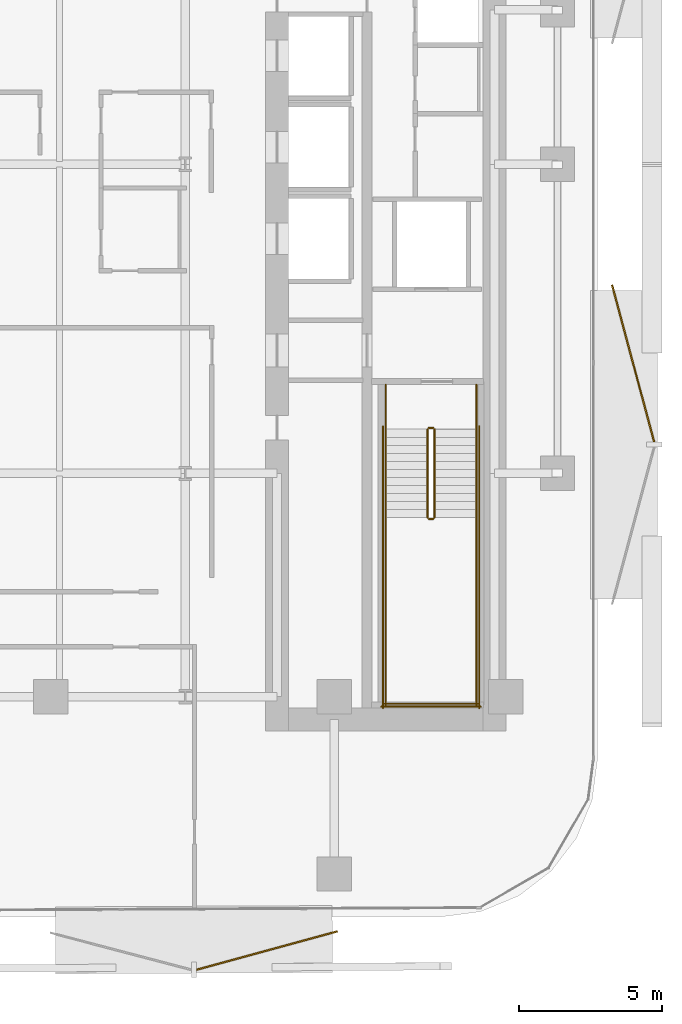
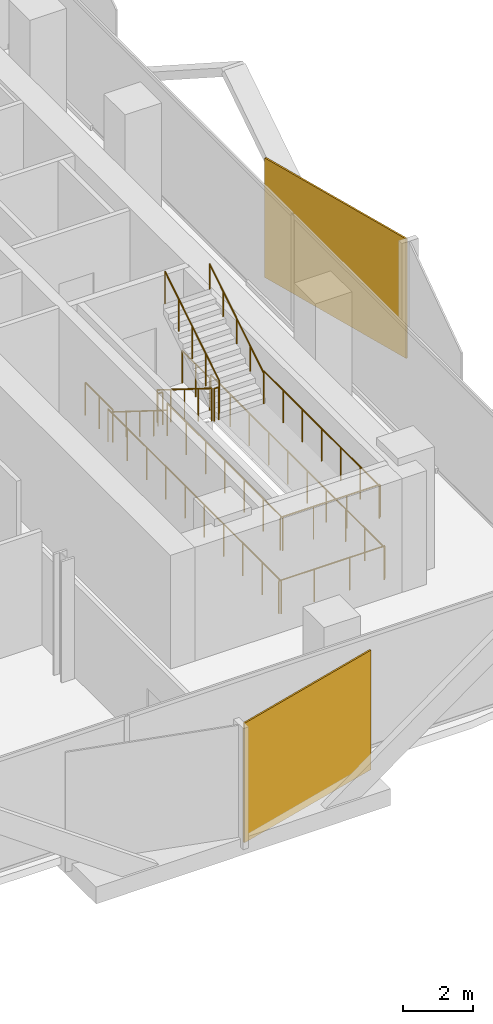
# One storey, part 13 of 15: 14 railings, 2 coverings.
"""IFC4 building model written with IfcOpenShell, lengths in metres."""

from ifc_helpers import new_model, si_unit, direction, frame, origin, origin_2d, place, context, subcontext, project, spatial, rectangle, circle, extrude, material, layer, layer_set, type_object, element, save


model = new_model("IFC4")

# Units and contexts
model_context = context("Model", 3, precision=1e-05, world=origin(), true_north=direction((0.0, 1.0)))
body_context = subcontext(model_context, "Body", "Model", "MODEL_VIEW")
ifc_project = project(units=[si_unit("LENGTHUNIT", "METRE"), si_unit("AREAUNIT", "SQUARE_METRE"), si_unit("VOLUMEUNIT", "CUBIC_METRE"), si_unit("PLANEANGLEUNIT", "RADIAN"), si_unit("MASSUNIT", "GRAM", prefix="KILO")], contexts=[model_context])

# Site, building, storey
site_placement = place(None, origin())
site = spatial("IfcSite", under=ifc_project, at=site_placement, CompositionType="ELEMENT")
building_placement = place(site_placement, origin())
building = spatial("IfcBuilding", under=site, at=building_placement, Name="Khairoan Windgate Tower", CompositionType="ELEMENT")
storey_placement = place(building_placement, frame((0.0, 0.0, 126.800048828125)))
storey = spatial("IfcBuildingStorey", under=building, at=storey_placement, Name="L29", CompositionType="ELEMENT", Elevation=126.800048828125)

# Coverings
ifc_material_1 = material(Name="Anodised Bronze Aluminium 6063-T6", Category="aluminium")
ifc_layer = layer(ifc_material_1, 0.054931640625, Name="Anodised Bronze Aluminium 6063-T6")
ifc_layer_set = layer_set([ifc_layer], Name="Anodised Bronze Aluminium 6063-T6")
covering_type = type_object("IfcCoveringType", Name="Perforated Bronze-Ceramic Folded Solar Screen Cladding BSC-1", PredefinedType="CLADDING", material=ifc_layer_set)
covering_1_placement = place(storey_placement, frame((12.05322265625, -27.472412109375, -0.10009765625), z_axis=(0.0, 0.0, 1.0), x_axis=(-0.964649468762, -0.263536339841, 0.0)))
element("IfcCovering", 1, at=covering_1_placement, inside=storey, type_object=covering_type, Name="L29 Folded Bronze Solar Screen Facet 177L", PredefinedType="CLADDING", context=body_context, shape_type="SweptSolid", body=[
    extrude(rectangle(XDim=5.10107421875, YDim=0.054931640625, at=origin_2d()), origin(), (0.0, 0.0, 1.0), 4.139892578125),
])
covering_2_placement = place(storey_placement, frame((24.8447265625, -6.961669921875, -0.10009765625), z_axis=(0.0, 0.0, 1.0), x_axis=(0.258819045103, -0.965925826289, 0.0)))
element("IfcCovering", 2, at=covering_2_placement, inside=storey, type_object=covering_type, Name="L29 Folded Bronze Solar Screen Facet 184L", PredefinedType="CLADDING", context=body_context, shape_type="SweptSolid", body=[
    extrude(rectangle(XDim=5.680908203125, YDim=0.054931640625, at=origin_2d()), origin(), (0.0, 0.0, 1.0), 4.139892578125),
])

# Railings
ifc_material_2 = material(Name="Anodised Bronze Aluminium 6063-T6", Category="aluminium")
railing_type_1 = type_object("IfcRailingType", Name="Stair Wall Handrail SHR-900", PredefinedType="HANDRAIL", material=ifc_material_2)
railing_1_placement = place(storey_placement, frame((16.199951171875, -9.260009765625, 0.175048828125)))
element("IfcRailing", 3, at=railing_1_placement, inside=storey, type_object=railing_type_1, Name="L29 ST1 stair handrail 1", PredefinedType="HANDRAIL", context=body_context, shape_type="SweptSolid", body=[
    extrude(circle(Radius=0.02392578125, at=origin_2d()), frame((0.0, 0.0, 0.8759765625), z_axis=(0.0, -0.848028513186, 0.529950602248), x_axis=(1.0, 0.0, 0.0)), (0.0, 0.0, 1.0), 3.632080078125),
    extrude(circle(Radius=0.02099609375, at=origin_2d()), origin(), (0.0, 0.0, 1.0), 0.851806640625),
    extrude(circle(Radius=0.02099609375, at=origin_2d()), frame((0.0, -0.77001953125, 0.481201171875)), (0.0, 0.0, 1.0), 0.851806640625),
    extrude(circle(Radius=0.02099609375, at=origin_2d()), frame((0.0, -1.5400390625, 0.96240234375)), (0.0, 0.0, 1.0), 0.851806640625),
    extrude(circle(Radius=0.02099609375, at=origin_2d()), frame((0.0, -2.31005859375, 1.443603515625)), (0.0, 0.0, 1.0), 0.851806640625),
    extrude(circle(Radius=0.02099609375, at=origin_2d()), frame((0.0, -3.080078125, 1.9248046875)), (0.0, 0.0, 1.0), 0.851806640625),
])
railing_2_placement = place(storey_placement, frame((19.3701171875, -12.340087890625, 2.27490234375)))
element("IfcRailing", 4, at=railing_2_placement, inside=storey, type_object=railing_type_1, Name="L29 ST1 stair handrail 2", PredefinedType="HANDRAIL", context=body_context, shape_type="SweptSolid", body=[
    extrude(circle(Radius=0.02392578125, at=origin_2d()), frame((0.0, 0.0, 0.8759765625), z_axis=(0.0, 0.847998304005, 0.529998940003), x_axis=(-1.0, 0.0, 0.0)), (0.0, 0.0, 1.0), 3.632080078125),
    extrude(circle(Radius=0.02099609375, at=origin_2d()), origin(), (0.0, 0.0, 1.0), 0.851806640625),
    extrude(circle(Radius=0.02099609375, at=origin_2d()), frame((0.0, 0.77001953125, 0.481201171875)), (0.0, 0.0, 1.0), 0.851806640625),
    extrude(circle(Radius=0.02099609375, at=origin_2d()), frame((0.0, 1.5400390625, 0.96240234375)), (0.0, 0.0, 1.0), 0.851806640625),
    extrude(circle(Radius=0.02099609375, at=origin_2d()), frame((0.0, 2.31005859375, 1.44384765625)), (0.0, 0.0, 1.0), 0.851806640625),
    extrude(circle(Radius=0.02099609375, at=origin_2d()), frame((0.0, 3.080078125, 1.925048828125)), (0.0, 0.0, 1.0), 0.851806640625),
])
ifc_material_3 = material(Name="Steel S355", Category="steel")
railing_type_2 = type_object("IfcRailingType", Name="Stairwell Safety Guardrail SGR-1150", PredefinedType="GUARDRAIL", material=ifc_material_3)
railing_3_placement = place(storey_placement, frame((17.659912109375, -9.260009765625, 0.175048828125)))
element("IfcRailing", 5, at=railing_3_placement, inside=storey, type_object=railing_type_2, Name="L29 ST1 stair guard 1", PredefinedType="GUARDRAIL", context=body_context, shape_type="SweptSolid", body=[
    extrude(circle(Radius=0.02392578125, at=origin_2d()), frame((0.0, 0.0, 1.1259765625), z_axis=(0.0, -0.848028513186, 0.529950602248), x_axis=(1.0, 0.0, 0.0)), (0.0, 0.0, 1.0), 3.632080078125),
    extrude(circle(Radius=0.02099609375, at=origin_2d()), origin(), (0.0, 0.0, 1.0), 1.101806640625),
    extrude(circle(Radius=0.02099609375, at=origin_2d()), frame((0.0, -0.77001953125, 0.481201171875)), (0.0, 0.0, 1.0), 1.101806640625),
    extrude(circle(Radius=0.02099609375, at=origin_2d()), frame((0.0, -1.5400390625, 0.96240234375)), (0.0, 0.0, 1.0), 1.101806640625),
    extrude(circle(Radius=0.02099609375, at=origin_2d()), frame((0.0, -2.31005859375, 1.443603515625)), (0.0, 0.0, 1.0), 1.101806640625),
    extrude(circle(Radius=0.02099609375, at=origin_2d()), frame((0.0, -3.080078125, 1.9248046875)), (0.0, 0.0, 1.0), 1.101806640625),
])
railing_4_placement = place(storey_placement, frame((17.7099609375, -12.389892578125, 2.099853515625)))
element("IfcRailing", 6, at=railing_4_placement, inside=storey, type_object=railing_type_2, Name="L29 ST1 stair guard 2", PredefinedType="GUARDRAIL", context=body_context, shape_type="SweptSolid", body=[
    extrude(circle(Radius=0.02392578125, at=origin_2d()), frame((0.0, 0.0, 1.1259765625), z_axis=(1.0, 0.0, 0.0), x_axis=(0.0, 1.0, 0.0)), (0.0, 0.0, 1.0), 0.150146484375),
    extrude(circle(Radius=0.02099609375, at=origin_2d()), origin(), (0.0, 0.0, 1.0), 1.101806640625),
    extrude(circle(Radius=0.02099609375, at=origin_2d()), frame((0.150146484375, 0.0, 0.0)), (0.0, 0.0, 1.0), 1.101806640625),
])
for number, where, name in (
    (7, (16.199951171875, -12.340087890625, 2.099853515625), "L29 ST1 stair guard 3"),
    (8, (19.3701171875, -12.340087890625, 2.099853515625), "L29 ST1 stair guard 4"),
):
    element("IfcRailing", number, at=place(storey_placement, frame(where)), inside=storey, type_object=railing_type_2, Name=name, PredefinedType="GUARDRAIL", context=body_context, shape_type="SweptSolid", body=[
        extrude(circle(Radius=0.02392578125, at=origin_2d()), frame((0.0, 0.0, 1.1259765625), z_axis=(0.0, -1.0, 0.0), x_axis=(1.0, 0.0, 0.0)), (0.0, 0.0, 1.0), 6.559814453125),
        extrude(circle(Radius=0.02099609375, at=origin_2d()), origin(), (0.0, 0.0, 1.0), 1.101806640625),
        extrude(circle(Radius=0.02099609375, at=origin_2d()), frame((0.0, -1.09326171875, 0.0)), (0.0, 0.0, 1.0), 1.101806640625),
        extrude(circle(Radius=0.02099609375, at=origin_2d()), frame((0.0, -2.1865234375, 0.0)), (0.0, 0.0, 1.0), 1.101806640625),
        extrude(circle(Radius=0.02099609375, at=origin_2d()), frame((0.0, -3.27978515625, 0.0)), (0.0, 0.0, 1.0), 1.101806640625),
        extrude(circle(Radius=0.02099609375, at=origin_2d()), frame((0.0, -4.373291015625, 0.0)), (0.0, 0.0, 1.0), 1.101806640625),
        extrude(circle(Radius=0.02099609375, at=origin_2d()), frame((0.0, -5.466552734375, 0.0)), (0.0, 0.0, 1.0), 1.101806640625),
        extrude(circle(Radius=0.02099609375, at=origin_2d()), frame((0.0, -6.559814453125, 0.0)), (0.0, 0.0, 1.0), 1.101806640625),
    ])
railing_5_placement = place(storey_placement, frame((16.14990234375, -18.85009765625, 2.099853515625)))
element("IfcRailing", 9, at=railing_5_placement, inside=storey, type_object=railing_type_2, Name="L29 ST1 stair guard 5", PredefinedType="GUARDRAIL", context=body_context, shape_type="SweptSolid", body=[
    extrude(circle(Radius=0.02392578125, at=origin_2d()), frame((0.0, 0.0, 1.1259765625), z_axis=(1.0, 0.0, 0.0), x_axis=(0.0, 1.0, 0.0)), (0.0, 0.0, 1.0), 3.27001953125),
    extrude(circle(Radius=0.02099609375, at=origin_2d()), origin(), (0.0, 0.0, 1.0), 1.101806640625),
    extrude(circle(Radius=0.02099609375, at=origin_2d()), frame((1.090087890625, 0.0, 0.0)), (0.0, 0.0, 1.0), 1.101806640625),
    extrude(circle(Radius=0.02099609375, at=origin_2d()), frame((2.179931640625, 0.0, 0.0)), (0.0, 0.0, 1.0), 1.101806640625),
    extrude(circle(Radius=0.02099609375, at=origin_2d()), frame((3.27001953125, 0.0, 0.0)), (0.0, 0.0, 1.0), 1.101806640625),
])
railing_6_placement = place(storey_placement, frame((17.909912109375, -12.340087890625, 2.27490234375)))
element("IfcRailing", 10, at=railing_6_placement, inside=storey, type_object=railing_type_2, Name="L29 ST1 stair guard 6", PredefinedType="GUARDRAIL", context=body_context, shape_type="SweptSolid", body=[
    extrude(circle(Radius=0.02392578125, at=origin_2d()), frame((0.0, 0.0, 1.1259765625), z_axis=(0.0, 0.847998304005, 0.529998940003), x_axis=(-1.0, 0.0, 0.0)), (0.0, 0.0, 1.0), 3.632080078125),
    extrude(circle(Radius=0.02099609375, at=origin_2d()), origin(), (0.0, 0.0, 1.0), 1.101806640625),
    extrude(circle(Radius=0.02099609375, at=origin_2d()), frame((0.0, 0.77001953125, 0.481201171875)), (0.0, 0.0, 1.0), 1.101806640625),
    extrude(circle(Radius=0.02099609375, at=origin_2d()), frame((0.0, 1.5400390625, 0.96240234375)), (0.0, 0.0, 1.0), 1.101806640625),
    extrude(circle(Radius=0.02099609375, at=origin_2d()), frame((0.0, 2.31005859375, 1.44384765625)), (0.0, 0.0, 1.0), 1.101806640625),
    extrude(circle(Radius=0.02099609375, at=origin_2d()), frame((0.0, 3.080078125, 1.925048828125)), (0.0, 0.0, 1.0), 1.101806640625),
])
railing_7_placement = place(storey_placement, frame((17.7099609375, -9.2099609375, 0.0)))
element("IfcRailing", 11, at=railing_7_placement, inside=storey, type_object=railing_type_2, Name="L29 ST1 stair guard 7", PredefinedType="GUARDRAIL", context=body_context, shape_type="SweptSolid", body=[
    extrude(circle(Radius=0.02392578125, at=origin_2d()), frame((0.0, 0.0, 1.1259765625), z_axis=(1.0, 0.0, 0.0), x_axis=(0.0, 1.0, 0.0)), (0.0, 0.0, 1.0), 0.150146484375),
    extrude(circle(Radius=0.02099609375, at=origin_2d()), origin(), (0.0, 0.0, 1.0), 1.101806640625),
    extrude(circle(Radius=0.02099609375, at=origin_2d()), frame((0.150146484375, 0.0, 0.0)), (0.0, 0.0, 1.0), 1.101806640625),
])
for number, where, name in (
    (12, (16.199951171875, -7.699951171875, 0.0), "L29 ST1 stair guard 8"),
    (13, (19.3701171875, -7.699951171875, 0.0), "L29 ST1 stair guard 9"),
):
    element("IfcRailing", number, at=place(storey_placement, frame(where)), inside=storey, type_object=railing_type_2, Name=name, PredefinedType="GUARDRAIL", context=body_context, shape_type="SweptSolid", body=[
        extrude(circle(Radius=0.02392578125, at=origin_2d()), frame((0.0, 0.0, 1.1259765625), z_axis=(0.0, -1.0, 0.0), x_axis=(1.0, 0.0, 0.0)), (0.0, 0.0, 1.0), 1.56005859375),
        extrude(circle(Radius=0.02099609375, at=origin_2d()), origin(), (0.0, 0.0, 1.0), 1.101806640625),
        extrude(circle(Radius=0.02099609375, at=origin_2d()), frame((0.0, -0.780029296875, 0.0)), (0.0, 0.0, 1.0), 1.101806640625),
        extrude(circle(Radius=0.02099609375, at=origin_2d()), frame((0.0, -1.56005859375, 0.0)), (0.0, 0.0, 1.0), 1.101806640625),
    ])
for number, where, name in (
    (14, (16.10009765625, -9.159912109375, 0.0), "L29 ST1 stair guard 10"),
    (15, (19.469970703125, -9.159912109375, 0.0), "L29 ST1 stair guard 11"),
):
    element("IfcRailing", number, at=place(storey_placement, frame(where)), inside=storey, type_object=railing_type_2, Name=name, PredefinedType="GUARDRAIL", context=body_context, shape_type="SweptSolid", body=[
        extrude(circle(Radius=0.02392578125, at=origin_2d()), frame((0.0, 0.0, 1.1259765625), z_axis=(0.0, -1.0, 0.0), x_axis=(1.0, 0.0, 0.0)), (0.0, 0.0, 1.0), 9.840087890625),
        extrude(circle(Radius=0.02099609375, at=origin_2d()), origin(), (0.0, 0.0, 1.0), 1.101806640625),
        extrude(circle(Radius=0.02099609375, at=origin_2d()), frame((0.0, -1.09326171875, 0.0)), (0.0, 0.0, 1.0), 1.101806640625),
        extrude(circle(Radius=0.02099609375, at=origin_2d()), frame((0.0, -2.186767578125, 0.0)), (0.0, 0.0, 1.0), 1.101806640625),
        extrude(circle(Radius=0.02099609375, at=origin_2d()), frame((0.0, -3.280029296875, 0.0)), (0.0, 0.0, 1.0), 1.101806640625),
        extrude(circle(Radius=0.02099609375, at=origin_2d()), frame((0.0, -4.373291015625, 0.0)), (0.0, 0.0, 1.0), 1.101806640625),
        extrude(circle(Radius=0.02099609375, at=origin_2d()), frame((0.0, -5.466796875, 0.0)), (0.0, 0.0, 1.0), 1.101806640625),
        extrude(circle(Radius=0.02099609375, at=origin_2d()), frame((0.0, -6.56005859375, 0.0)), (0.0, 0.0, 1.0), 1.101806640625),
        extrude(circle(Radius=0.02099609375, at=origin_2d()), frame((0.0, -7.6533203125, 0.0)), (0.0, 0.0, 1.0), 1.101806640625),
        extrude(circle(Radius=0.02099609375, at=origin_2d()), frame((0.0, -8.746826171875, 0.0)), (0.0, 0.0, 1.0), 1.101806640625),
        extrude(circle(Radius=0.02099609375, at=origin_2d()), frame((0.0, -9.840087890625, 0.0)), (0.0, 0.0, 1.0), 1.101806640625),
    ])
railing_8_placement = place(storey_placement, frame((16.050048828125, -18.949951171875, 0.0)))
element("IfcRailing", 16, at=railing_8_placement, inside=storey, type_object=railing_type_2, Name="L29 ST1 stair guard 12", PredefinedType="GUARDRAIL", context=body_context, shape_type="SweptSolid", body=[
    extrude(circle(Radius=0.02392578125, at=origin_2d()), frame((0.0, 0.0, 1.1259765625), z_axis=(1.0, 0.0, 0.0), x_axis=(0.0, 1.0, 0.0)), (0.0, 0.0, 1.0), 3.469970703125),
    extrude(circle(Radius=0.02099609375, at=origin_2d()), origin(), (0.0, 0.0, 1.0), 1.101806640625),
    extrude(circle(Radius=0.02099609375, at=origin_2d()), frame((1.15673828125, 0.0, 0.0)), (0.0, 0.0, 1.0), 1.101806640625),
    extrude(circle(Radius=0.02099609375, at=origin_2d()), frame((2.313232421875, 0.0, 0.0)), (0.0, 0.0, 1.0), 1.101806640625),
    extrude(circle(Radius=0.02099609375, at=origin_2d()), frame((3.469970703125, 0.0, 0.0)), (0.0, 0.0, 1.0), 1.101806640625),
])

save(model, "model.ifc")
